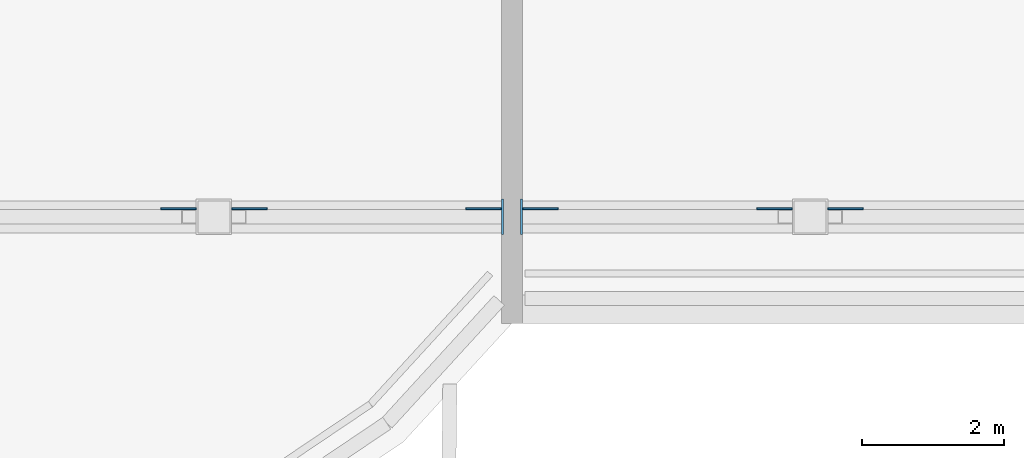
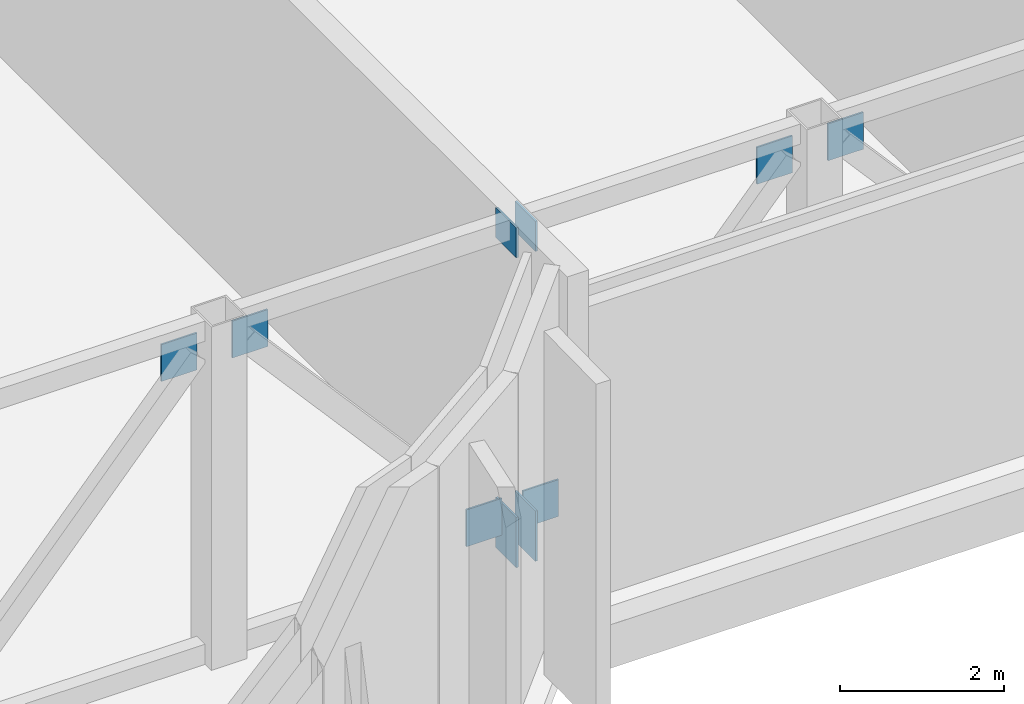
# One storey, part 9 of 15: 10 discrete accessories.
"""IFC4 building model written with IfcOpenShell, lengths in metres."""

import ifcopenshell
import ifcopenshell.guid

model = None  # the IFC model being written
_history = None  # IfcOwnerHistory: only IFC2X3 demands one
_inside = {}  # id of a spatial element -> (the spatial element, [elements in it])
_under = {}  # id of a project, library or spatial element -> (it, [spatial elements below it])
_declared = {}  # id of a project -> (the project, [libraries it declares])
_typed = {}  # id of a type object -> (the type object, [elements of that type])
_made_of = {}  # id of a material, layer set ... -> (it, [elements and type objects made of it])


def new_model(schema):
    """Start an empty IFC model of exactly this schema.

    Asked for "IFC4X3", IfcOpenShell would pick the latest addendum, in which some entities
    have other attributes; the version numbers below select the first issue.
    IFC2X3 requires an IfcOwnerHistory on every rooted entity: one is made here for all.
    """
    global model, _history
    if schema == "IFC4X3":
        model = ifcopenshell.file(schema_version=(4, 3, 0, 0))
    else:
        model = ifcopenshell.file(schema=schema)
    _inside.clear()
    _under.clear()
    _declared.clear()
    _typed.clear()
    _made_of.clear()
    _history = None
    if model.schema == "IFC2X3":
        org = make("IfcOrganization", Name="unknown")
        user = make(
            "IfcPersonAndOrganization",
            ThePerson=make("IfcPerson", FamilyName="unknown"),
            TheOrganization=org,
        )
        app = make(
            "IfcApplication",
            ApplicationDeveloper=org,
            Version="unknown",
            ApplicationFullName="unknown",
            ApplicationIdentifier="unknown",
        )
        _history = make(
            "IfcOwnerHistory",
            OwningUser=user,
            OwningApplication=app,
            ChangeAction="ADDED",
            CreationDate=0,
        )
    return model


def make(cls, **values):
    """One entity of the class cls with the attributes given. An attribute that is None is left unset."""
    return model.create_entity(
        cls, **{name: value for name, value in values.items() if value is not None}
    )


def rooted(cls, **values):
    """An entity with a GlobalId (a new one), such as an element, a storey or a relation."""
    return make(cls, GlobalId=ifcopenshell.guid.new(), OwnerHistory=_history, **values)


def si_unit(unit_type, name, prefix=None):
    """IfcSIUnit, for example si_unit("LENGTHUNIT", "METRE", prefix="MILLI")."""
    return make("IfcSIUnit", UnitType=unit_type, Prefix=prefix, Name=name)


def assignment(units):
    """IfcUnitAssignment: the units of a project."""
    return None if units is None else make("IfcUnitAssignment", Units=units)


def point(xyz):
    """IfcCartesianPoint."""
    return None if xyz is None else make("IfcCartesianPoint", Coordinates=xyz)


def direction(xyz):
    """IfcDirection."""
    return None if xyz is None else make("IfcDirection", DirectionRatios=xyz)


def frame(location, z_axis=None, x_axis=None):
    """IfcAxis2Placement3D, a coordinate frame: its origin and axes. An axis left out is left unset."""
    return make(
        "IfcAxis2Placement3D",
        Location=point(location),
        Axis=direction(z_axis),
        RefDirection=direction(x_axis),
    )


def frame_2d(location, x_axis=None):
    """IfcAxis2Placement2D, a coordinate frame in the plane: its origin and x axis."""
    return make(
        "IfcAxis2Placement2D", Location=point(location), RefDirection=direction(x_axis)
    )


def origin():
    """The frame at (0, 0, 0) with its axes left unset."""
    return frame((0.0, 0.0, 0.0))


def origin_2d():
    """The frame at (0, 0) in the plane with its x axis left unset."""
    return frame_2d((0.0, 0.0))


def place(relative_to, where):
    """IfcLocalPlacement: puts the frame where relative to a parent placement (None: the world)."""
    return make(
        "IfcLocalPlacement", PlacementRelTo=relative_to, RelativePlacement=where
    )


def context(
    kind, dimensions, precision=None, world=None, true_north=None, identifier=None
):
    """IfcGeometricRepresentationContext, for example the 3D "Model" context."""
    return make(
        "IfcGeometricRepresentationContext",
        ContextIdentifier=identifier,
        ContextType=kind,
        CoordinateSpaceDimension=dimensions,
        Precision=precision,
        WorldCoordinateSystem=world,
        TrueNorth=true_north,
    )


def subcontext(parent, identifier, kind, view, scale=None):
    """IfcGeometricRepresentationSubContext, for example "Body" below "Model"."""
    return make(
        "IfcGeometricRepresentationSubContext",
        ContextIdentifier=identifier,
        ContextType=kind,
        ParentContext=parent,
        TargetScale=scale,
        TargetView=view,
    )


def project(units=None, contexts=None):
    """IfcProject with its units and contexts."""
    return rooted(
        "IfcProject",
        Name="project",
        RepresentationContexts=contexts,
        UnitsInContext=assignment(units),
    )


def spatial(cls, under=None, at=None, **own):
    """A site, building, storey or space (cls), placed at a placement, below another one or the project."""
    s = rooted(cls, ObjectPlacement=at, **own)
    if under is not None:
        _under.setdefault(under.id(), (under, []))[1].append(s)
    return s


def profile(cls, at=None, kind="AREA", **sizes):
    """A parametric profile (cls). Its sizes go by their IFC names, for example OverallWidth=200.0."""
    return make(cls, ProfileType=kind, Position=at, **sizes)


def rectangle(**sizes):
    """IfcRectangleProfileDef."""
    return profile("IfcRectangleProfileDef", **sizes)


def extrude(swept, where, along, depth):
    """IfcExtrudedAreaSolid: the profile swept, set in the frame where, extruded along a direction by depth."""
    return make(
        "IfcExtrudedAreaSolid",
        SweptArea=swept,
        Position=where,
        ExtrudedDirection=direction(along),
        Depth=depth,
    )


def shape(context_of_items, identifier, shape_type, items):
    """IfcShapeRepresentation: the items that make up one representation, for example the "Body"."""
    return make(
        "IfcShapeRepresentation",
        ContextOfItems=context_of_items,
        RepresentationIdentifier=identifier,
        RepresentationType=shape_type,
        Items=items,
    )


def source(mapping_origin, context_of_items, identifier, shape_type, items):
    """IfcRepresentationMap: a shape defined once, which mapped items show again and again."""
    return make(
        "IfcRepresentationMap",
        MappingOrigin=mapping_origin,
        MappedRepresentation=shape(context_of_items, identifier, shape_type, items),
    )


def transform(
    local_origin,
    x_axis=None,
    y_axis=None,
    z_axis=None,
    scale=None,
    scale2=None,
    scale3=None,
    uniform=True,
):
    """IfcCartesianTransformationOperator3D, or its non-uniform kind. x_axis, y_axis, z_axis: its Axis1, 2, 3."""
    if uniform:
        return make(
            "IfcCartesianTransformationOperator3D",
            Axis1=direction(x_axis),
            Axis2=direction(y_axis),
            LocalOrigin=point(local_origin),
            Scale=scale,
            Axis3=direction(z_axis),
        )
    return make(
        "IfcCartesianTransformationOperator3DnonUniform",
        Axis1=direction(x_axis),
        Axis2=direction(y_axis),
        LocalOrigin=point(local_origin),
        Scale=scale,
        Axis3=direction(z_axis),
        Scale2=scale2,
        Scale3=scale3,
    )


def mapped(mapping_source, mapping_target):
    """IfcMappedItem: shows the shape of a source again, moved by a transform."""
    return make(
        "IfcMappedItem", MappingSource=mapping_source, MappingTarget=mapping_target
    )


def material(Name=None, Category=None):
    """IfcMaterial."""
    return make("IfcMaterial", Name=Name, Category=Category)


def layer(
    of_material, thickness, ventilated=None, Name=None, Category=None, Priority=None
):
    """IfcMaterialLayer: one layer of a wall or slab, of a material (None: an air gap)."""
    return make(
        "IfcMaterialLayer",
        Material=of_material,
        LayerThickness=thickness,
        IsVentilated=ventilated,
        Name=Name,
        Category=Category,
        Priority=Priority,
    )


def layer_set(layers, Name=None):
    """IfcMaterialLayerSet."""
    return make("IfcMaterialLayerSet", MaterialLayers=layers, LayerSetName=Name)


def made_of(thing, what):
    """Note that an element or type object is made of a material, layer set ...; save() writes the relation."""
    if what is not None:
        _made_of.setdefault(what.id(), (what, []))[1].append(thing)
    return thing


def type_object(cls, material=None, **own):
    """A type object (cls), such as IfcWallType, which elements share."""
    return made_of(rooted(cls, **own), material)


def element(
    cls,
    number,
    at=None,
    inside=None,
    cuts=None,
    type_object=None,
    material=None,
    context=None,
    identifier="Body",
    shape_type=None,
    held_by="IfcProductDefinitionShape",
    body=None,
    shapes=None,
    **own,
):
    """One element of the class cls, such as IfcWall. Its Tag is "e" and its number.

    at: its placement. inside: the storey or other place that contains it. cuts: it is an
    opening in that element (IfcRelVoidsElement). A single representation is given by context,
    identifier, shape_type and body (its items); several are given by shapes. held_by: the class
    of the entity that holds the representations. save() writes the other relations.
    """
    e = rooted(cls, Tag="e%d" % number, ObjectPlacement=at, **own)
    if body is not None:
        shapes = [shape(context, identifier, shape_type, body)]
    if shapes is not None:
        e.Representation = make(held_by, Representations=shapes)
    if inside is not None:
        _inside.setdefault(inside.id(), (inside, []))[1].append(e)
    if cuts is not None:
        rooted(
            "IfcRelVoidsElement", RelatingBuildingElement=cuts, RelatedOpeningElement=e
        )
    if type_object is not None:
        _typed.setdefault(type_object.id(), (type_object, []))[1].append(e)
    return made_of(e, material)


def aggregate(whole, parts):
    """IfcRelAggregates: a whole, such as a stair, and the parts it consists of."""
    return rooted("IfcRelAggregates", RelatingObject=whole, RelatedObjects=parts)


def save(model, path):
    """Write the relations noted so far, then the file.

    IfcRelAggregates (storeys below a building ...), IfcRelContainedInSpatialStructure (elements
    in a storey), IfcRelDefinesByType, IfcRelAssociatesMaterial and IfcRelDeclares: one each for
    every whole, place, type object, material and project.
    """
    for whole, parts in _under.values():
        aggregate(whole, parts)
    for where, things in _inside.values():
        rooted(
            "IfcRelContainedInSpatialStructure",
            RelatedElements=things,
            RelatingStructure=where,
        )
    for kind, things in _typed.values():
        rooted("IfcRelDefinesByType", RelatedObjects=things, RelatingType=kind)
    for what, things in _made_of.values():
        rooted("IfcRelAssociatesMaterial", RelatedObjects=things, RelatingMaterial=what)
    for by, libraries in _declared.values():
        rooted("IfcRelDeclares", RelatingContext=by, RelatedDefinitions=libraries)
    model.write(path)


model = new_model("IFC4")

# Units and contexts
model_context = context("Model", 3, precision=1e-05, world=origin(), true_north=direction((0.0, 1.0)))
body_context = subcontext(model_context, "Body", "Model", "MODEL_VIEW")
ifc_project = project(units=[si_unit("LENGTHUNIT", "METRE"), si_unit("AREAUNIT", "SQUARE_METRE"), si_unit("VOLUMEUNIT", "CUBIC_METRE"), si_unit("PLANEANGLEUNIT", "RADIAN"), si_unit("MASSUNIT", "GRAM", prefix="KILO")], contexts=[model_context])

# Site, building, storey
site_placement = place(None, origin())
site = spatial("IfcSite", under=ifc_project, at=site_placement, CompositionType="ELEMENT")
building_placement = place(site_placement, origin())
building = spatial("IfcBuilding", under=site, at=building_placement, Name="Vanashikhar Sky Hotel", CompositionType="ELEMENT")
storey_placement = place(building_placement, frame((0.0, 0.0, 201.0)))
storey = spatial("IfcBuildingStorey", under=building, at=storey_placement, Name="L49", CompositionType="ELEMENT", Elevation=201.0)

# Discrete accessories
ifc_material = material(Name="Steel S355", Category="steel")
ifc_layer_1 = layer(ifc_material, 0.030029296875)
ifc_layer_set_1 = layer_set([ifc_layer_1], Name="Cast-in anchor plate 500x750x30")
discrete_accessory_type_1 = type_object("IfcDiscreteAccessoryType", Name="Cast-in anchor plate 500x750x30", PredefinedType="ANCHORPLATE", material=ifc_layer_set_1)
shared_shape_1 = source(origin(), body_context, "Body", "SweptSolid", [
    extrude(rectangle(XDim=0.030029296875, YDim=0.5, at=origin_2d()), origin(), (0.0, 0.0, 1.0), 0.75),
])
for number, where, z_axis, x_axis, name in (
    (1, (67.06494140625, 7.0, 0.02490234375), (0.0, 0.0, 1.0), (1.0, 0.0, 0.0), "EP-L49-F06BB"),
    (2, (67.3349609375, 7.0, 0.02490234375), (0.0, 0.0, 1.0), (1.0, 0.0, 0.0), "EP-L49-F07AB"),
):
    element("IfcDiscreteAccessory", number, at=place(storey_placement, frame(where, z_axis=z_axis, x_axis=x_axis)), inside=storey, type_object=discrete_accessory_type_1, Name=name, PredefinedType="ANCHORPLATE", context=body_context, shape_type="MappedRepresentation", body=[
        mapped(shared_shape_1, transform((0.0, 0.0, 0.0), scale=1.0)),
    ])
ifc_layer_2 = layer(ifc_material, 0.030029296875)
ifc_layer_set_2 = layer_set([ifc_layer_2], Name="Cast-in anchor plate 500x450x30")
discrete_accessory_type_2 = type_object("IfcDiscreteAccessoryType", Name="Cast-in anchor plate 500x450x30", PredefinedType="ANCHORPLATE", material=ifc_layer_set_2)
shared_shape_2 = source(origin(), body_context, "Body", "SweptSolid", [
    extrude(rectangle(XDim=0.030029296875, YDim=0.5, at=origin_2d()), origin(), (0.0, 0.0, 1.0), 0.449951171875),
])
for number, where, z_axis, x_axis, name in (
    (3, (67.06494140625, 7.0, 4.64501953125), (0.0, 0.0, 1.0), (1.0, 0.0, 0.0), "EP-L49-F06BT"),
    (4, (67.3349609375, 7.0, 4.64501953125), (0.0, 0.0, 1.0), (1.0, 0.0, 0.0), "EP-L49-F07AT"),
):
    element("IfcDiscreteAccessory", number, at=place(storey_placement, frame(where, z_axis=z_axis, x_axis=x_axis)), inside=storey, type_object=discrete_accessory_type_2, Name=name, PredefinedType="ANCHORPLATE", context=body_context, shape_type="MappedRepresentation", body=[
        mapped(shared_shape_2, transform((0.0, 0.0, 0.0), scale=1.0)),
    ])
ifc_layer_3 = layer(ifc_material, 0.02490234375)
ifc_layer_set_3 = layer_set([ifc_layer_3], Name="Truss gusset plate 500x550x25")
discrete_accessory_type_3 = type_object("IfcDiscreteAccessoryType", Name="Truss gusset plate 500x550x25", PredefinedType="BRACKET", material=ifc_layer_set_3)
shared_shape_3 = source(origin(), body_context, "Body", "SweptSolid", [
    extrude(rectangle(XDim=0.5, YDim=0.02490234375, at=origin_2d()), origin(), (0.0, 0.0, 1.0), 0.550048828125),
])
for number, where, z_axis, x_axis, name in (
    (5, (62.5, 7.112548828125, 4.27001953125), (0.0, 0.0, 1.0), (1.0, 0.0, 0.0), "GS-L49-F06LB"),
    (6, (66.800048828125, 7.112548828125, 0.2998046875), (0.0, 0.0, 1.0), (1.0, 0.0, 0.0), "GS-L49-F06RA"),
    (7, (63.5, 7.112548828125, 4.27001953125), (0.0, 0.0, 1.0), (1.0, 0.0, 0.0), "GS-L49-F06RB"),
    (8, (67.60009765625, 7.112548828125, 0.2998046875), (0.0, 0.0, 1.0), (1.0, 0.0, 0.0), "GS-L49-F07LA"),
    (9, (70.89990234375, 7.112548828125, 4.27001953125), (0.0, 0.0, 1.0), (1.0, 0.0, 0.0), "GS-L49-F07LB"),
    (10, (71.89990234375, 7.112548828125, 4.27001953125), (0.0, 0.0, 1.0), (1.0, 0.0, 0.0), "GS-L49-F07RB"),
):
    element("IfcDiscreteAccessory", number, at=place(storey_placement, frame(where, z_axis=z_axis, x_axis=x_axis)), inside=storey, type_object=discrete_accessory_type_3, Name=name, PredefinedType="BRACKET", context=body_context, shape_type="MappedRepresentation", body=[
        mapped(shared_shape_3, transform((0.0, 0.0, 0.0), scale=1.0)),
    ])

save(model, "model.ifc")
